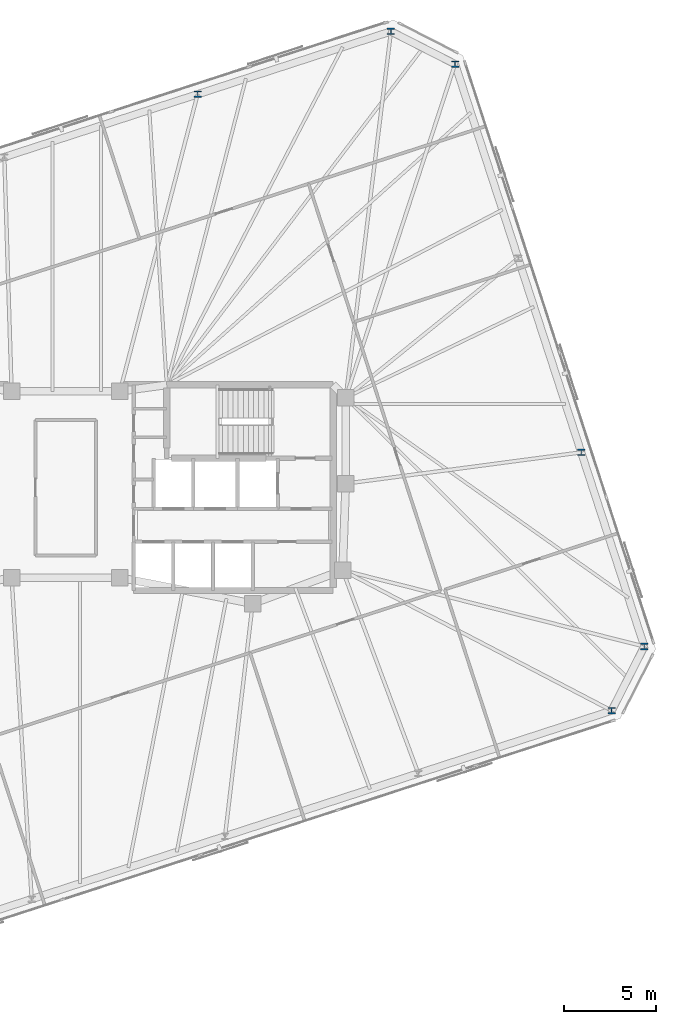
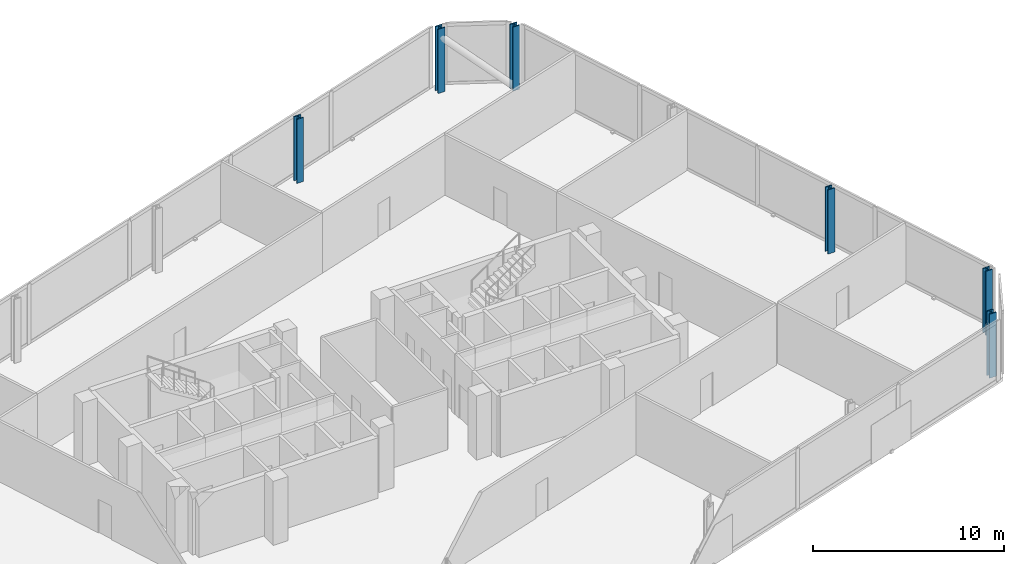
# One storey, part 4 of 14: 6 columns.
"""IFC4 building model written with IfcOpenShell, lengths in metres."""

from ifc_helpers import new_model, si_unit, direction, frame, origin, origin_2d, place, context, subcontext, project, spatial, i_section, extrude, material, material_profile, profile_set, type_object, element, save


model = new_model("IFC4")

# Units and contexts
model_context = context("Model", 3, precision=1e-05, world=origin(), true_north=direction((0.0, 1.0)))
body_context = subcontext(model_context, "Body", "Model", "MODEL_VIEW")
ifc_project = project(units=[si_unit("LENGTHUNIT", "METRE"), si_unit("AREAUNIT", "SQUARE_METRE"), si_unit("VOLUMEUNIT", "CUBIC_METRE"), si_unit("PLANEANGLEUNIT", "RADIAN"), si_unit("MASSUNIT", "GRAM", prefix="KILO")], contexts=[model_context])

# Site, building, storey
site_placement = place(None, origin())
site = spatial("IfcSite", under=ifc_project, at=site_placement, CompositionType="ELEMENT")
building_placement = place(site_placement, origin())
building = spatial("IfcBuilding", under=site, at=building_placement, Name="Menara Jurai Vektor", CompositionType="ELEMENT")
storey_placement = place(building_placement, frame((0.0, 0.0, 206.800048828125)))
storey = spatial("IfcBuildingStorey", under=building, at=storey_placement, Name="L54", CompositionType="ELEMENT", Elevation=206.800048828125)

# Columns
ifc_material = material(Name="Steel S460", Category="steel")
ifc_material_profile = material_profile(ifc_material, i_section(OverallWidth=0.405029296875, OverallDepth=0.35498046875, WebThickness=0.0419921875, FlangeThickness=0.068115234375, FilletRadius=0.014892578125, at=origin_2d()), Name="HD 400x551")
ifc_profile_set = profile_set([ifc_material_profile], Name="Steel S460")
column_type = type_object("IfcColumnType", Name="STR-EXO-BLK4", PredefinedType="COLUMN", material=ifc_profile_set)
for number, where, z_axis, x_axis, name in (
    (1, (29.733642578125, -12.14501953125, 0.0), (0.0, 0.0, 1.0), (1.0, 0.0, 0.0), "Exoskeleton Column BLK4-S6 L54"),
    (2, (31.513427734375, -8.652099609375, 0.0), (0.0, 0.0, 1.0), (1.0, 0.0, 0.0), "Exoskeleton Column BLK4-E1 L54"),
    (3, (28.07763671875, 1.92236328125, 0.0), (0.0, 0.0, 1.0), (1.0, 0.0, 0.0), "Exoskeleton Column BLK4-E2 L54"),
    (4, (21.2060546875, 23.071044921875, 0.0), (0.0, 0.0, 1.0), (1.0, 0.0, 0.0), "Exoskeleton Column BLK4-E4 L54"),
    (5, (17.712890625, 24.85107421875, 0.0), (0.0, 0.0, 1.0), (1.0, 0.0, 0.0), "Exoskeleton Column BLK4-N1 L54"),
    (6, (7.18359375, 21.4296875, 0.0), (0.0, 0.0, 1.0), (1.0, 0.0, 0.0), "Exoskeleton Column BLK4-N2 L54"),
):
    element("IfcColumn", number, at=place(storey_placement, frame(where, z_axis=z_axis, x_axis=x_axis)), inside=storey, type_object=column_type, Name=name, PredefinedType="COLUMN", context=body_context, shape_type="SweptSolid", body=[
        extrude(i_section(OverallWidth=0.405029296875, OverallDepth=0.35498046875, WebThickness=0.0419921875, FlangeThickness=0.068115234375, FilletRadius=0.014892578125, at=origin_2d()), origin(), (0.0, 0.0, 1.0), 4.099853515625),
    ])

save(model, "model.ifc")
